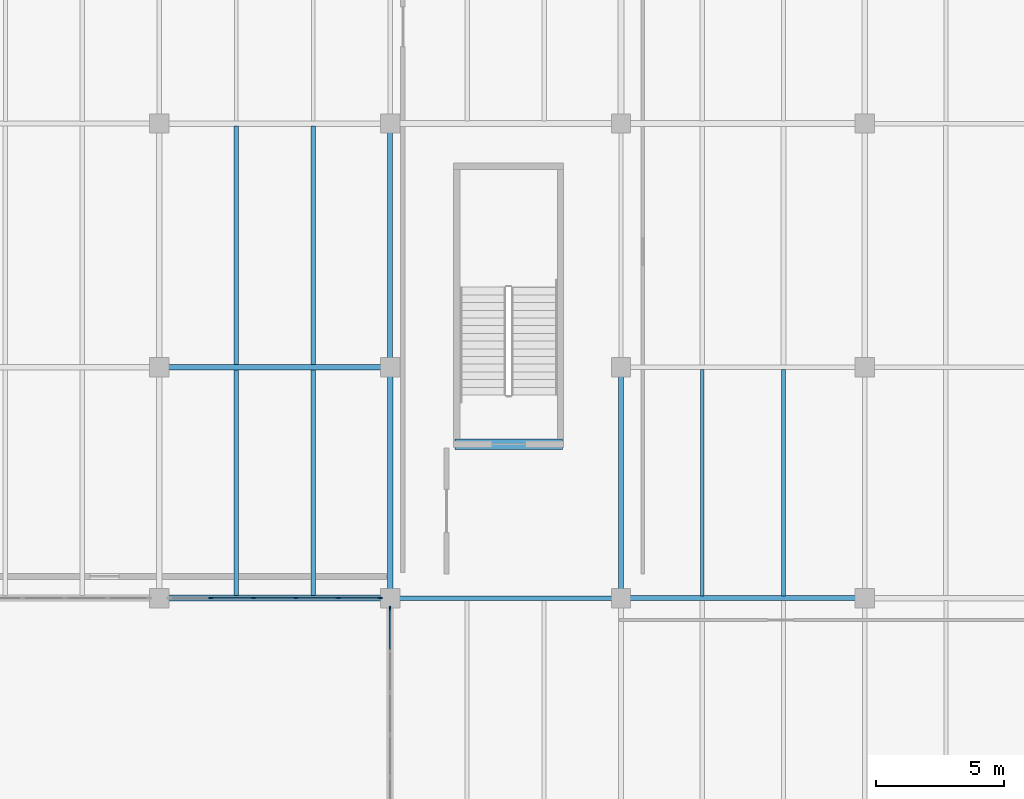
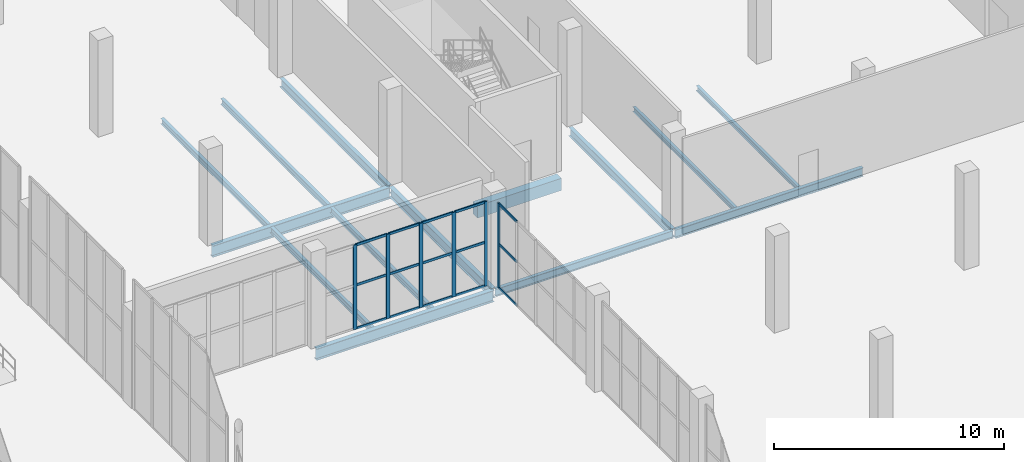
# One storey, part 62 of 103: 21 members, 14 beams, 2 elements without a shape of their own.
"""IFC4 building model written with IfcOpenShell, lengths in metres."""

from ifc_helpers import new_model, si_unit, direction, frame, origin, origin_2d, place, context, subcontext, project, spatial, rectangle, i_section, extrude, material, layer, layer_set, material_profile, profile_set, type_object, element, aggregate, save


model = new_model("IFC4")

# Units and contexts
model_context = context("Model", 3, precision=1e-05, world=origin(), true_north=direction((0.0, 1.0)))
body_context = subcontext(model_context, "Body", "Model", "MODEL_VIEW")
ifc_project = project(units=[si_unit("LENGTHUNIT", "METRE"), si_unit("AREAUNIT", "SQUARE_METRE"), si_unit("VOLUMEUNIT", "CUBIC_METRE"), si_unit("PLANEANGLEUNIT", "RADIAN"), si_unit("MASSUNIT", "GRAM", prefix="KILO")], contexts=[model_context])

# Site, building, storey
site_placement = place(None, origin())
site = spatial("IfcSite", under=ifc_project, at=site_placement, CompositionType="ELEMENT")
building_placement = place(site_placement, origin())
building = spatial("IfcBuilding", under=site, at=building_placement, Name="Marnock Terrace Opera House", CompositionType="ELEMENT")
storey_placement = place(building_placement, origin())
storey = spatial("IfcBuildingStorey", under=building, at=storey_placement, Name="L00", CompositionType="ELEMENT", Elevation=0.0)

# Beams
ifc_material_1 = material(Name="Steel Grade 350 (AS/NZS 3679.1)", Category="steel")
ifc_material_profile_1 = material_profile(ifc_material_1, i_section(OverallWidth=0.177978515625, OverallDepth=0.402587890625, WebThickness=0.007568359375, FlangeThickness=0.010986328125, FilletRadius=0.011474609375, at=origin_2d()))
ifc_profile_set_1 = profile_set([ifc_material_profile_1], Name="Steel Grade 350 (AS/NZS 3679.1)")
beam_type_1 = type_object("IfcBeamType", Name="BM-GIRD-410", PredefinedType="BEAM", material=ifc_profile_set_1)
beam_1_placement = place(storey_placement, frame((136.050048828125, 66.0, -0.501220703125), z_axis=(1.0, 0.0, 0.0), x_axis=(0.0, 1.0, 0.0)))
element("IfcBeam", 1, at=beam_1_placement, inside=storey, type_object=beam_type_1, Name="L00 girder (136.0..145.0, Y=66.0)", PredefinedType="BEAM", context=body_context, shape_type="SweptSolid", body=[
    extrude(i_section(OverallWidth=0.177978515625, OverallDepth=0.402587890625, WebThickness=0.007568359375, FlangeThickness=0.010986328125, FilletRadius=0.011474609375, at=origin_2d()), origin(), (0.0, 0.0, 1.0), 8.89990234375),
])
ifc_material_profile_2 = material_profile(ifc_material_1, i_section(OverallWidth=0.19091796875, OverallDepth=0.46044921875, WebThickness=0.010009765625, FlangeThickness=0.01611328125, FilletRadius=0.011474609375, at=origin_2d()))
ifc_profile_set_2 = profile_set([ifc_material_profile_2], Name="Steel Grade 350 (AS/NZS 3679.1)")
beam_type_2 = type_object("IfcBeamType", Name="BM-GIRD-460A", PredefinedType="BEAM", material=ifc_profile_set_2)
beam_2_placement = place(storey_placement, frame((145.050048828125, 66.0, -0.5302734375), z_axis=(1.0, 0.0, 0.0), x_axis=(0.0, 1.0, 0.0)))
element("IfcBeam", 2, at=beam_2_placement, inside=storey, type_object=beam_type_2, Name="L00 girder (145.0..154.5, Y=66.0)", PredefinedType="BEAM", context=body_context, shape_type="SweptSolid", body=[
    extrude(i_section(OverallWidth=0.19091796875, OverallDepth=0.46044921875, WebThickness=0.010009765625, FlangeThickness=0.01611328125, FilletRadius=0.011474609375, at=origin_2d()), origin(), (0.0, 0.0, 1.0), 9.39990234375),
])
ifc_material_profile_3 = material_profile(ifc_material_1, i_section(OverallWidth=0.18994140625, OverallDepth=0.45751953125, WebThickness=0.009033203125, FlangeThickness=0.014404296875, FilletRadius=0.011474609375, at=origin_2d()))
ifc_profile_set_3 = profile_set([ifc_material_profile_3], Name="Steel Grade 350 (AS/NZS 3679.1)")
beam_type_3 = type_object("IfcBeamType", Name="BM-GIRD-460B", PredefinedType="BEAM", material=ifc_profile_set_3)
beam_3_placement = place(storey_placement, frame((136.0, 75.050048828125, -0.52880859375), z_axis=(0.0, 1.0, 0.0), x_axis=(-1.0, 0.0, 0.0)))
element("IfcBeam", 3, at=beam_3_placement, inside=storey, type_object=beam_type_3, Name="L00 girder (X=136.0, 75.0..84.5)", PredefinedType="BEAM", context=body_context, shape_type="SweptSolid", body=[
    extrude(i_section(OverallWidth=0.18994140625, OverallDepth=0.45751953125, WebThickness=0.009033203125, FlangeThickness=0.014404296875, FilletRadius=0.011474609375, at=origin_2d()), origin(), (0.0, 0.0, 1.0), 9.39990234375),
])
beam_4_placement = place(storey_placement, frame((145.0, 66.050048828125, -0.52880859375), z_axis=(0.0, 1.0, 0.0), x_axis=(-1.0, 0.0, 0.0)))
element("IfcBeam", 4, at=beam_4_placement, inside=storey, type_object=beam_type_3, Name="L00 girder (X=145.0, 66.0..75.0)", PredefinedType="BEAM", context=body_context, shape_type="SweptSolid", body=[
    extrude(i_section(OverallWidth=0.18994140625, OverallDepth=0.45751953125, WebThickness=0.009033203125, FlangeThickness=0.014404296875, FilletRadius=0.011474609375, at=origin_2d()), origin(), (0.0, 0.0, 1.0), 8.89990234375),
])
ifc_material_profile_4 = material_profile(ifc_material_1, i_section(OverallWidth=0.208984375, OverallDepth=0.528076171875, WebThickness=0.009521484375, FlangeThickness=0.01318359375, FilletRadius=0.013916015625, at=origin_2d()))
ifc_profile_set_4 = profile_set([ifc_material_profile_4], Name="Steel Grade 350 (AS/NZS 3679.1)")
beam_type_4 = type_object("IfcBeamType", Name="BM-GIRD-530B", PredefinedType="BEAM", material=ifc_profile_set_4)
beam_5_placement = place(storey_placement, frame((136.0, 66.050048828125, -0.56396484375), z_axis=(0.0, 1.0, 0.0), x_axis=(-1.0, 0.0, 0.0)))
element("IfcBeam", 5, at=beam_5_placement, inside=storey, type_object=beam_type_4, Name="L00 girder (X=136.0, 66.0..75.0)", PredefinedType="BEAM", context=body_context, shape_type="SweptSolid", body=[
    extrude(i_section(OverallWidth=0.208984375, OverallDepth=0.528076171875, WebThickness=0.009521484375, FlangeThickness=0.01318359375, FilletRadius=0.013916015625, at=origin_2d()), origin(), (0.0, 0.0, 1.0), 8.89990234375),
])
ifc_material_profile_5 = material_profile(ifc_material_1, i_section(OverallWidth=0.22900390625, OverallDepth=0.611572265625, WebThickness=0.011962890625, FlangeThickness=0.01953125, FilletRadius=0.013916015625, at=origin_2d()))
ifc_profile_set_5 = profile_set([ifc_material_profile_5], Name="Steel Grade 350 (AS/NZS 3679.1)")
beam_type_5 = type_object("IfcBeamType", Name="BM-GIRD-610A", PredefinedType="BEAM", material=ifc_profile_set_5)
beam_6_placement = place(storey_placement, frame((127.050048828125, 66.0, -0.605712890625), z_axis=(1.0, 0.0, 0.0), x_axis=(0.0, 1.0, 0.0)))
element("IfcBeam", 6, at=beam_6_placement, inside=storey, type_object=beam_type_5, Name="L00 girder (127.0..136.0, Y=66.0)", PredefinedType="BEAM", context=body_context, shape_type="SweptSolid", body=[
    extrude(i_section(OverallWidth=0.22900390625, OverallDepth=0.611572265625, WebThickness=0.011962890625, FlangeThickness=0.01953125, FilletRadius=0.013916015625, at=origin_2d()), origin(), (0.0, 0.0, 1.0), 8.89990234375),
])
ifc_material_profile_6 = material_profile(ifc_material_1, i_section(OverallWidth=0.22802734375, OverallDepth=0.60693359375, WebThickness=0.01123046875, FlangeThickness=0.017333984375, FilletRadius=0.013916015625, at=origin_2d()))
ifc_profile_set_6 = profile_set([ifc_material_profile_6], Name="Steel Grade 350 (AS/NZS 3679.1)")
beam_type_6 = type_object("IfcBeamType", Name="BM-GIRD-610B", PredefinedType="BEAM", material=ifc_profile_set_6)
beam_7_placement = place(storey_placement, frame((127.050048828125, 75.0, -0.603515625), z_axis=(1.0, 0.0, 0.0), x_axis=(0.0, 1.0, 0.0)))
element("IfcBeam", 7, at=beam_7_placement, inside=storey, type_object=beam_type_6, Name="L00 girder (127.0..136.0, Y=75.0)", PredefinedType="BEAM", context=body_context, shape_type="SweptSolid", body=[
    extrude(i_section(OverallWidth=0.22802734375, OverallDepth=0.60693359375, WebThickness=0.01123046875, FlangeThickness=0.017333984375, FilletRadius=0.013916015625, at=origin_2d()), origin(), (0.0, 0.0, 1.0), 8.89990234375),
])
ifc_material_profile_7 = material_profile(ifc_material_1, i_section(OverallWidth=0.14599609375, OverallDepth=0.256103515625, WebThickness=0.00634765625, FlangeThickness=0.010986328125, FilletRadius=0.0087890625, at=origin_2d()))
ifc_profile_set_7 = profile_set([ifc_material_profile_7], Name="Steel Grade 350 (AS/NZS 3679.1)")
beam_type_7 = type_object("IfcBeamType", Name="BM-JOIST-250", PredefinedType="JOIST", material=ifc_profile_set_7)
for number, where, z_axis, x_axis, name in (
    (8, (148.166748046875, 66.090576171875, -0.427978515625), (0.0, 1.0, 0.0), (-1.0, 0.0, 0.0), "L00 secondary joist 16.8.1"),
    (9, (151.333251953125, 66.090576171875, -0.427978515625), (0.0, 1.0, 0.0), (-1.0, 0.0, 0.0), "L00 secondary joist 16.8.2"),
):
    element("IfcBeam", number, at=place(storey_placement, frame(where, z_axis=z_axis, x_axis=x_axis)), inside=storey, type_object=beam_type_7, Name=name, PredefinedType="JOIST", context=body_context, shape_type="SweptSolid", body=[
        extrude(i_section(OverallWidth=0.14599609375, OverallDepth=0.256103515625, WebThickness=0.00634765625, FlangeThickness=0.010986328125, FilletRadius=0.0087890625, at=origin_2d()), origin(), (0.0, 0.0, 1.0), 8.825439453125),
    ])
ifc_material_profile_8 = material_profile(ifc_material_1, i_section(OverallWidth=0.166015625, OverallDepth=0.30712890625, WebThickness=0.006591796875, FlangeThickness=0.01171875, FilletRadius=0.011474609375, at=origin_2d()))
ifc_profile_set_8 = profile_set([ifc_material_profile_8], Name="Steel Grade 350 (AS/NZS 3679.1)")
beam_type_8 = type_object("IfcBeamType", Name="BM-JOIST-310A", PredefinedType="JOIST", material=ifc_profile_set_8)
for number, where, z_axis, x_axis, name in (
    (10, (130.0, 66.109619140625, -0.45361328125), (0.0, 1.0, 0.0), (-1.0, 0.0, 0.0), "L00 secondary joist 14.8.1"),
    (11, (133.0, 66.109619140625, -0.45361328125), (0.0, 1.0, 0.0), (-1.0, 0.0, 0.0), "L00 secondary joist 14.8.2"),
):
    element("IfcBeam", number, at=place(storey_placement, frame(where, z_axis=z_axis, x_axis=x_axis)), inside=storey, type_object=beam_type_8, Name=name, PredefinedType="JOIST", context=body_context, shape_type="SweptSolid", body=[
        extrude(i_section(OverallWidth=0.166015625, OverallDepth=0.30712890625, WebThickness=0.006591796875, FlangeThickness=0.01171875, FilletRadius=0.011474609375, at=origin_2d()), origin(), (0.0, 0.0, 1.0), 8.781494140625),
    ])
ifc_material_profile_9 = material_profile(ifc_material_1, i_section(OverallWidth=0.1650390625, OverallDepth=0.3037109375, WebThickness=0.006103515625, FlangeThickness=0.01025390625, FilletRadius=0.011474609375, at=origin_2d()))
ifc_profile_set_9 = profile_set([ifc_material_profile_9], Name="Steel Grade 350 (AS/NZS 3679.1)")
beam_type_9 = type_object("IfcBeamType", Name="BM-JOIST-310B", PredefinedType="JOIST", material=ifc_profile_set_9)
for number, where, z_axis, x_axis, name in (
    (12, (130.0, 75.10888671875, -0.451904296875), (0.0, 1.0, 0.0), (-1.0, 0.0, 0.0), "L00 secondary joist 14.9.1"),
    (13, (133.0, 75.10888671875, -0.451904296875), (0.0, 1.0, 0.0), (-1.0, 0.0, 0.0), "L00 secondary joist 14.9.2"),
):
    element("IfcBeam", number, at=place(storey_placement, frame(where, z_axis=z_axis, x_axis=x_axis)), inside=storey, type_object=beam_type_9, Name=name, PredefinedType="JOIST", context=body_context, shape_type="SweptSolid", body=[
        extrude(i_section(OverallWidth=0.1650390625, OverallDepth=0.3037109375, WebThickness=0.006103515625, FlangeThickness=0.01025390625, FilletRadius=0.011474609375, at=origin_2d()), origin(), (0.0, 0.0, 1.0), 9.29150390625),
    ])
ifc_material_2 = material(Name="Concrete N40 (f'c = 40 MPa)", Category="concrete")
ifc_material_profile_10 = material_profile(ifc_material_2, rectangle(XDim=0.39990234375, YDim=0.64990234375, at=origin_2d()))
ifc_profile_set_10 = profile_set([ifc_material_profile_10], Name="Concrete N40 (f'c = 40 MPa)")
beam_type_10 = type_object("IfcBeamType", Name="BM-LINT-RC400", PredefinedType="LINTEL", material=ifc_profile_set_10)
beam_8_placement = place(storey_placement, frame((138.52001953125, 72.0, -0.64990234375), z_axis=(1.0, 0.0, 0.0), x_axis=(0.0, 1.0, 0.0)))
element("IfcBeam", 14, at=beam_8_placement, inside=storey, type_object=beam_type_10, Name="B1 Core C8 coupling lintel", PredefinedType="LINTEL", context=body_context, shape_type="SweptSolid", body=[
    extrude(rectangle(XDim=0.39990234375, YDim=0.64990234375, at=origin_2d()), origin(), (0.0, 0.0, 1.0), 4.199951171875),
])

# Curtain wall, member
ifc_material_3 = material(Name="Anodised architectural bronze aluminium framing", Category="aluminium")
ifc_layer = layer(ifc_material_3, 0.159912109375)
ifc_layer_set = layer_set([ifc_layer], Name="Anodised architectural bronze aluminium framing")
curtain_wall_type = type_object("IfcCurtainWallType", Name="CW-LOGGIA-86x51", PredefinedType="NOTDEFINED", material=ifc_layer_set)
curtain_wall_1_placement = place(storey_placement, origin())
curtain_wall_1 = element("IfcCurtainWall", 15, at=curtain_wall_1_placement, inside=storey, type_object=curtain_wall_type, Name="L00 glazed Beaux-Arts colonnade curtain wall CW-V5-L00-CE3", PredefinedType="NOTDEFINED")
ifc_material_profile_11 = material_profile(ifc_material_3, rectangle(XDim=0.06494140625, YDim=0.179931640625, at=origin_2d()))
ifc_profile_set_11 = profile_set([ifc_material_profile_11], Name="Anodised architectural bronze aluminium framing")
member_type_1 = type_object("IfcMemberType", Name="CWM-65x180", PredefinedType="MULLION", material=ifc_profile_set_11)
member_1_placement = place(storey_placement, frame((136.0, 65.59912109375, 0.0), z_axis=(0.0, 0.0, 1.0), x_axis=(-1.0, 0.0, 0.0)))
member_1 = element("IfcMember", 16, at=member_1_placement, type_object=member_type_1, Name="CW-96 mullion 6", PredefinedType="MULLION", context=body_context, shape_type="SweptSolid", body=[
    extrude(rectangle(XDim=0.06494140625, YDim=0.179931640625, at=origin_2d()), origin(), (0.0, 0.0, 1.0), 4.488037109375),
])

# Curtain wall, members
curtain_wall_2_placement = place(storey_placement, origin())
curtain_wall_2 = element("IfcCurtainWall", 17, at=curtain_wall_2_placement, inside=storey, type_object=curtain_wall_type, Name="L00 glazed Beaux-Arts colonnade curtain wall CW-V5-L00-CN2", PredefinedType="NOTDEFINED")
member_2_placement = place(storey_placement, frame((129.022705078125, 66.0, 0.0), z_axis=(0.0, 0.0, 1.0), x_axis=(0.0, 1.0, 0.0)))
member_2 = element("IfcMember", 18, at=member_2_placement, type_object=member_type_1, Name="CW-96 mullion 2", PredefinedType="MULLION", context=body_context, shape_type="SweptSolid", body=[
    extrude(rectangle(XDim=0.06494140625, YDim=0.179931640625, at=origin_2d()), origin(), (0.0, 0.0, 1.0), 4.478515625),
])
member_3_placement = place(storey_placement, frame((130.67431640625, 66.0, 0.0), z_axis=(0.0, 0.0, 1.0), x_axis=(0.0, 1.0, 0.0)))
member_3 = element("IfcMember", 19, at=member_3_placement, type_object=member_type_1, Name="CW-96 mullion 3", PredefinedType="MULLION", context=body_context, shape_type="SweptSolid", body=[
    extrude(rectangle(XDim=0.06494140625, YDim=0.179931640625, at=origin_2d()), origin(), (0.0, 0.0, 1.0), 4.478515625),
])
member_4_placement = place(storey_placement, frame((132.32568359375, 66.0, 0.0), z_axis=(0.0, 0.0, 1.0), x_axis=(0.0, 1.0, 0.0)))
member_4 = element("IfcMember", 20, at=member_4_placement, type_object=member_type_1, Name="CW-96 mullion 4", PredefinedType="MULLION", context=body_context, shape_type="SweptSolid", body=[
    extrude(rectangle(XDim=0.06494140625, YDim=0.179931640625, at=origin_2d()), origin(), (0.0, 0.0, 1.0), 4.478515625),
])
member_5_placement = place(storey_placement, frame((133.977294921875, 66.0, 0.0), z_axis=(0.0, 0.0, 1.0), x_axis=(0.0, 1.0, 0.0)))
member_5 = element("IfcMember", 21, at=member_5_placement, type_object=member_type_1, Name="CW-96 mullion 5", PredefinedType="MULLION", context=body_context, shape_type="SweptSolid", body=[
    extrude(rectangle(XDim=0.06494140625, YDim=0.179931640625, at=origin_2d()), origin(), (0.0, 0.0, 1.0), 4.478515625),
])
member_6_placement = place(storey_placement, frame((135.59912109375, 66.0, 0.0), z_axis=(0.0, 0.0, 1.0), x_axis=(0.0, 1.0, 0.0)))
member_6 = element("IfcMember", 22, at=member_6_placement, type_object=member_type_1, Name="CW-96 mullion 6", PredefinedType="MULLION", context=body_context, shape_type="SweptSolid", body=[
    extrude(rectangle(XDim=0.06494140625, YDim=0.179931640625, at=origin_2d()), origin(), (0.0, 0.0, 1.0), 4.478515625),
])

# Member
ifc_material_profile_12 = material_profile(ifc_material_3, rectangle(XDim=0.06005859375, YDim=0.1298828125, at=origin_2d()))
ifc_profile_set_12 = profile_set([ifc_material_profile_12], Name="Anodised architectural bronze aluminium framing")
member_type_2 = type_object("IfcMemberType", Name="CWT-60x130", PredefinedType="USERDEFINED", material=ifc_profile_set_12)
member_7_placement = place(storey_placement, frame((136.0, 64.00732421875, 0.030029296875), z_axis=(0.0, 1.0, 0.0), x_axis=(-1.0, 0.0, 0.0)))
member_7 = element("IfcMember", 23, at=member_7_placement, type_object=member_type_2, Name="CW-96 transom 5.1", ObjectType="TRANSOM", PredefinedType="USERDEFINED", context=body_context, shape_type="SweptSolid", body=[
    extrude(rectangle(XDim=0.06005859375, YDim=0.1298828125, at=origin_2d()), origin(), (0.0, 0.0, 1.0), 1.561767578125),
])

member_8_placement = place(storey_placement, frame((136.0, 64.00732421875, 2.333740234375), z_axis=(0.0, 1.0, 0.0), x_axis=(-1.0, 0.0, 0.0)))
member_8 = element("IfcMember", 24, at=member_8_placement, type_object=member_type_2, Name="CW-96 transom 5.2", ObjectType="TRANSOM", PredefinedType="USERDEFINED", context=body_context, shape_type="SweptSolid", body=[
    extrude(rectangle(XDim=0.06005859375, YDim=0.1298828125, at=origin_2d()), origin(), (0.0, 0.0, 1.0), 1.561767578125),
])

member_9_placement = place(storey_placement, frame((136.0, 64.00732421875, 4.4580078125), z_axis=(0.0, 1.0, 0.0), x_axis=(-1.0, 0.0, 0.0)))
member_9 = element("IfcMember", 25, at=member_9_placement, type_object=member_type_2, Name="CW-96 transom 5.3", ObjectType="TRANSOM", PredefinedType="USERDEFINED", context=body_context, shape_type="SweptSolid", body=[
    extrude(rectangle(XDim=0.06005859375, YDim=0.1298828125, at=origin_2d()), origin(), (0.0, 0.0, 1.0), 1.561767578125),
])

aggregate(curtain_wall_1, [member_1, member_7, member_8, member_9])

member_10_placement = place(storey_placement, frame((129.052490234375, 66.0, 0.030029296875), z_axis=(1.0, 0.0, 0.0), x_axis=(0.0, 1.0, 0.0)))
member_10 = element("IfcMember", 26, at=member_10_placement, type_object=member_type_2, Name="CW-96 transom 2.1", ObjectType="TRANSOM", PredefinedType="USERDEFINED", context=body_context, shape_type="SweptSolid", body=[
    extrude(rectangle(XDim=0.06005859375, YDim=0.1298828125, at=origin_2d()), origin(), (0.0, 0.0, 1.0), 1.591796875),
])

member_11_placement = place(storey_placement, frame((129.052490234375, 66.0, 2.328857421875), z_axis=(1.0, 0.0, 0.0), x_axis=(0.0, 1.0, 0.0)))
member_11 = element("IfcMember", 27, at=member_11_placement, type_object=member_type_2, Name="CW-96 transom 2.2", ObjectType="TRANSOM", PredefinedType="USERDEFINED", context=body_context, shape_type="SweptSolid", body=[
    extrude(rectangle(XDim=0.06005859375, YDim=0.1298828125, at=origin_2d()), origin(), (0.0, 0.0, 1.0), 1.591796875),
])

member_12_placement = place(storey_placement, frame((129.052490234375, 66.0, 4.448486328125), z_axis=(1.0, 0.0, 0.0), x_axis=(0.0, 1.0, 0.0)))
member_12 = element("IfcMember", 28, at=member_12_placement, type_object=member_type_2, Name="CW-96 transom 2.3", ObjectType="TRANSOM", PredefinedType="USERDEFINED", context=body_context, shape_type="SweptSolid", body=[
    extrude(rectangle(XDim=0.06005859375, YDim=0.1298828125, at=origin_2d()), origin(), (0.0, 0.0, 1.0), 1.591796875),
])

member_13_placement = place(storey_placement, frame((130.7041015625, 66.0, 0.030029296875), z_axis=(1.0, 0.0, 0.0), x_axis=(0.0, 1.0, 0.0)))
member_13 = element("IfcMember", 29, at=member_13_placement, type_object=member_type_2, Name="CW-96 transom 3.1", ObjectType="TRANSOM", PredefinedType="USERDEFINED", context=body_context, shape_type="SweptSolid", body=[
    extrude(rectangle(XDim=0.06005859375, YDim=0.1298828125, at=origin_2d()), origin(), (0.0, 0.0, 1.0), 1.591796875),
])

member_14_placement = place(storey_placement, frame((130.7041015625, 66.0, 2.328857421875), z_axis=(1.0, 0.0, 0.0), x_axis=(0.0, 1.0, 0.0)))
member_14 = element("IfcMember", 30, at=member_14_placement, type_object=member_type_2, Name="CW-96 transom 3.2", ObjectType="TRANSOM", PredefinedType="USERDEFINED", context=body_context, shape_type="SweptSolid", body=[
    extrude(rectangle(XDim=0.06005859375, YDim=0.1298828125, at=origin_2d()), origin(), (0.0, 0.0, 1.0), 1.591796875),
])

member_15_placement = place(storey_placement, frame((130.7041015625, 66.0, 4.448486328125), z_axis=(1.0, 0.0, 0.0), x_axis=(0.0, 1.0, 0.0)))
member_15 = element("IfcMember", 31, at=member_15_placement, type_object=member_type_2, Name="CW-96 transom 3.3", ObjectType="TRANSOM", PredefinedType="USERDEFINED", context=body_context, shape_type="SweptSolid", body=[
    extrude(rectangle(XDim=0.06005859375, YDim=0.1298828125, at=origin_2d()), origin(), (0.0, 0.0, 1.0), 1.591796875),
])

member_16_placement = place(storey_placement, frame((132.355712890625, 66.0, 0.030029296875), z_axis=(1.0, 0.0, 0.0), x_axis=(0.0, 1.0, 0.0)))
member_16 = element("IfcMember", 32, at=member_16_placement, type_object=member_type_2, Name="CW-96 transom 4.1", ObjectType="TRANSOM", PredefinedType="USERDEFINED", context=body_context, shape_type="SweptSolid", body=[
    extrude(rectangle(XDim=0.06005859375, YDim=0.1298828125, at=origin_2d()), origin(), (0.0, 0.0, 1.0), 1.591796875),
])

member_17_placement = place(storey_placement, frame((132.355712890625, 66.0, 2.328857421875), z_axis=(1.0, 0.0, 0.0), x_axis=(0.0, 1.0, 0.0)))
member_17 = element("IfcMember", 33, at=member_17_placement, type_object=member_type_2, Name="CW-96 transom 4.2", ObjectType="TRANSOM", PredefinedType="USERDEFINED", context=body_context, shape_type="SweptSolid", body=[
    extrude(rectangle(XDim=0.06005859375, YDim=0.1298828125, at=origin_2d()), origin(), (0.0, 0.0, 1.0), 1.591796875),
])

member_18_placement = place(storey_placement, frame((132.355712890625, 66.0, 4.448486328125), z_axis=(1.0, 0.0, 0.0), x_axis=(0.0, 1.0, 0.0)))
member_18 = element("IfcMember", 34, at=member_18_placement, type_object=member_type_2, Name="CW-96 transom 4.3", ObjectType="TRANSOM", PredefinedType="USERDEFINED", context=body_context, shape_type="SweptSolid", body=[
    extrude(rectangle(XDim=0.06005859375, YDim=0.1298828125, at=origin_2d()), origin(), (0.0, 0.0, 1.0), 1.591796875),
])

member_19_placement = place(storey_placement, frame((134.00732421875, 66.0, 0.030029296875), z_axis=(1.0, 0.0, 0.0), x_axis=(0.0, 1.0, 0.0)))
member_19 = element("IfcMember", 35, at=member_19_placement, type_object=member_type_2, Name="CW-96 transom 5.1", ObjectType="TRANSOM", PredefinedType="USERDEFINED", context=body_context, shape_type="SweptSolid", body=[
    extrude(rectangle(XDim=0.06005859375, YDim=0.1298828125, at=origin_2d()), origin(), (0.0, 0.0, 1.0), 1.561767578125),
])

member_20_placement = place(storey_placement, frame((134.00732421875, 66.0, 2.328857421875), z_axis=(1.0, 0.0, 0.0), x_axis=(0.0, 1.0, 0.0)))
member_20 = element("IfcMember", 36, at=member_20_placement, type_object=member_type_2, Name="CW-96 transom 5.2", ObjectType="TRANSOM", PredefinedType="USERDEFINED", context=body_context, shape_type="SweptSolid", body=[
    extrude(rectangle(XDim=0.06005859375, YDim=0.1298828125, at=origin_2d()), origin(), (0.0, 0.0, 1.0), 1.561767578125),
])

member_21_placement = place(storey_placement, frame((134.00732421875, 66.0, 4.448486328125), z_axis=(1.0, 0.0, 0.0), x_axis=(0.0, 1.0, 0.0)))
member_21 = element("IfcMember", 37, at=member_21_placement, type_object=member_type_2, Name="CW-96 transom 5.3", ObjectType="TRANSOM", PredefinedType="USERDEFINED", context=body_context, shape_type="SweptSolid", body=[
    extrude(rectangle(XDim=0.06005859375, YDim=0.1298828125, at=origin_2d()), origin(), (0.0, 0.0, 1.0), 1.561767578125),
])

aggregate(curtain_wall_2, [member_2, member_3, member_4, member_5, member_6, member_10, member_11, member_12, member_13, member_14, member_15, member_16, member_17, member_18, member_19, member_20, member_21])

save(model, "model.ifc")
